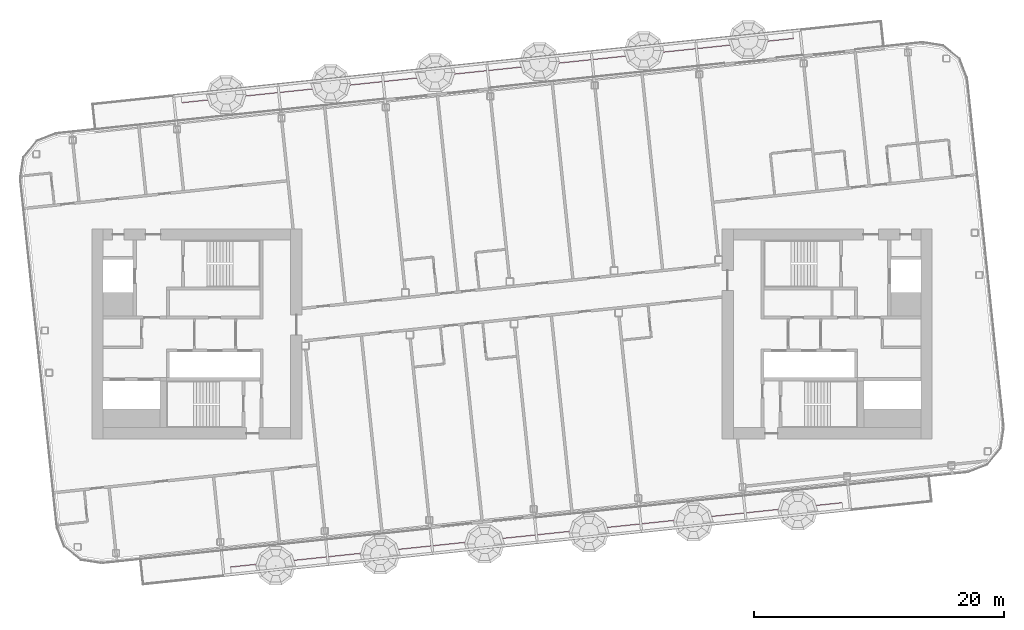
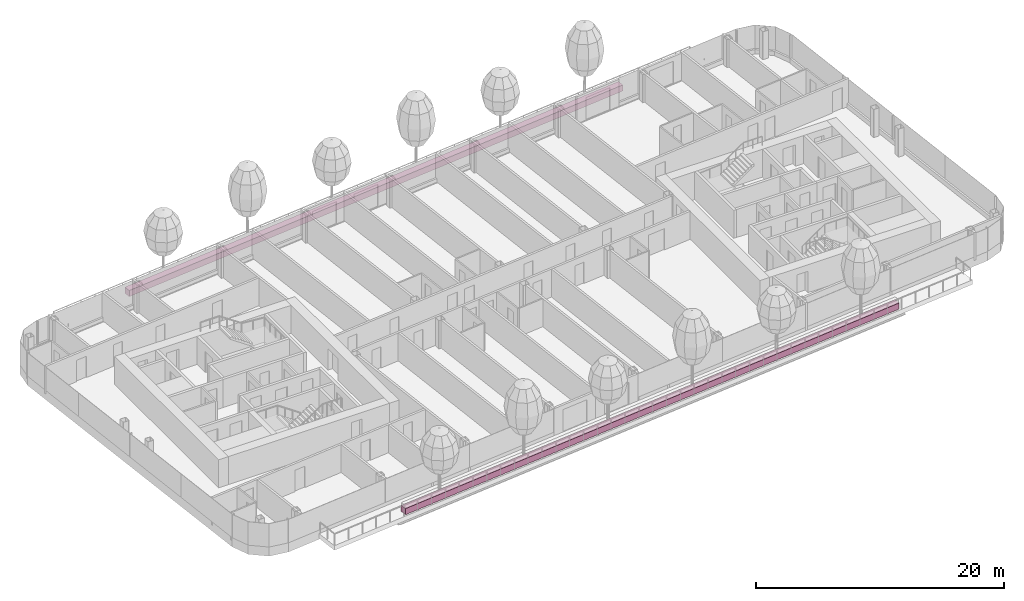
# One storey, part 26 of 29: 2 furniture elements.
"""IFC4 building model written with IfcOpenShell, lengths in metres."""

import ifcopenshell
import ifcopenshell.guid

model = None  # the IFC model being written
_history = None  # IfcOwnerHistory: only IFC2X3 demands one
_inside = {}  # id of a spatial element -> (the spatial element, [elements in it])
_under = {}  # id of a project, library or spatial element -> (it, [spatial elements below it])
_declared = {}  # id of a project -> (the project, [libraries it declares])
_typed = {}  # id of a type object -> (the type object, [elements of that type])
_made_of = {}  # id of a material, layer set ... -> (it, [elements and type objects made of it])


def new_model(schema):
    """Start an empty IFC model of exactly this schema.

    Asked for "IFC4X3", IfcOpenShell would pick the latest addendum, in which some entities
    have other attributes; the version numbers below select the first issue.
    IFC2X3 requires an IfcOwnerHistory on every rooted entity: one is made here for all.
    """
    global model, _history
    if schema == "IFC4X3":
        model = ifcopenshell.file(schema_version=(4, 3, 0, 0))
    else:
        model = ifcopenshell.file(schema=schema)
    _inside.clear()
    _under.clear()
    _declared.clear()
    _typed.clear()
    _made_of.clear()
    _history = None
    if model.schema == "IFC2X3":
        org = make("IfcOrganization", Name="unknown")
        user = make(
            "IfcPersonAndOrganization",
            ThePerson=make("IfcPerson", FamilyName="unknown"),
            TheOrganization=org,
        )
        app = make(
            "IfcApplication",
            ApplicationDeveloper=org,
            Version="unknown",
            ApplicationFullName="unknown",
            ApplicationIdentifier="unknown",
        )
        _history = make(
            "IfcOwnerHistory",
            OwningUser=user,
            OwningApplication=app,
            ChangeAction="ADDED",
            CreationDate=0,
        )
    return model


def make(cls, **values):
    """One entity of the class cls with the attributes given. An attribute that is None is left unset."""
    return model.create_entity(
        cls, **{name: value for name, value in values.items() if value is not None}
    )


def rooted(cls, **values):
    """An entity with a GlobalId (a new one), such as an element, a storey or a relation."""
    return make(cls, GlobalId=ifcopenshell.guid.new(), OwnerHistory=_history, **values)


def si_unit(unit_type, name, prefix=None):
    """IfcSIUnit, for example si_unit("LENGTHUNIT", "METRE", prefix="MILLI")."""
    return make("IfcSIUnit", UnitType=unit_type, Prefix=prefix, Name=name)


def assignment(units):
    """IfcUnitAssignment: the units of a project."""
    return None if units is None else make("IfcUnitAssignment", Units=units)


def point(xyz):
    """IfcCartesianPoint."""
    return None if xyz is None else make("IfcCartesianPoint", Coordinates=xyz)


def direction(xyz):
    """IfcDirection."""
    return None if xyz is None else make("IfcDirection", DirectionRatios=xyz)


def frame(location, z_axis=None, x_axis=None):
    """IfcAxis2Placement3D, a coordinate frame: its origin and axes. An axis left out is left unset."""
    return make(
        "IfcAxis2Placement3D",
        Location=point(location),
        Axis=direction(z_axis),
        RefDirection=direction(x_axis),
    )


def frame_2d(location, x_axis=None):
    """IfcAxis2Placement2D, a coordinate frame in the plane: its origin and x axis."""
    return make(
        "IfcAxis2Placement2D", Location=point(location), RefDirection=direction(x_axis)
    )


def origin():
    """The frame at (0, 0, 0) with its axes left unset."""
    return frame((0.0, 0.0, 0.0))


def origin_2d():
    """The frame at (0, 0) in the plane with its x axis left unset."""
    return frame_2d((0.0, 0.0))


def place(relative_to, where):
    """IfcLocalPlacement: puts the frame where relative to a parent placement (None: the world)."""
    return make(
        "IfcLocalPlacement", PlacementRelTo=relative_to, RelativePlacement=where
    )


def context(
    kind, dimensions, precision=None, world=None, true_north=None, identifier=None
):
    """IfcGeometricRepresentationContext, for example the 3D "Model" context."""
    return make(
        "IfcGeometricRepresentationContext",
        ContextIdentifier=identifier,
        ContextType=kind,
        CoordinateSpaceDimension=dimensions,
        Precision=precision,
        WorldCoordinateSystem=world,
        TrueNorth=true_north,
    )


def subcontext(parent, identifier, kind, view, scale=None):
    """IfcGeometricRepresentationSubContext, for example "Body" below "Model"."""
    return make(
        "IfcGeometricRepresentationSubContext",
        ContextIdentifier=identifier,
        ContextType=kind,
        ParentContext=parent,
        TargetScale=scale,
        TargetView=view,
    )


def project(units=None, contexts=None):
    """IfcProject with its units and contexts."""
    return rooted(
        "IfcProject",
        Name="project",
        RepresentationContexts=contexts,
        UnitsInContext=assignment(units),
    )


def spatial(cls, under=None, at=None, **own):
    """A site, building, storey or space (cls), placed at a placement, below another one or the project."""
    s = rooted(cls, ObjectPlacement=at, **own)
    if under is not None:
        _under.setdefault(under.id(), (under, []))[1].append(s)
    return s


def profile(cls, at=None, kind="AREA", **sizes):
    """A parametric profile (cls). Its sizes go by their IFC names, for example OverallWidth=200.0."""
    return make(cls, ProfileType=kind, Position=at, **sizes)


def rectangle(**sizes):
    """IfcRectangleProfileDef."""
    return profile("IfcRectangleProfileDef", **sizes)


def extrude(swept, where, along, depth):
    """IfcExtrudedAreaSolid: the profile swept, set in the frame where, extruded along a direction by depth."""
    return make(
        "IfcExtrudedAreaSolid",
        SweptArea=swept,
        Position=where,
        ExtrudedDirection=direction(along),
        Depth=depth,
    )


def shape(context_of_items, identifier, shape_type, items):
    """IfcShapeRepresentation: the items that make up one representation, for example the "Body"."""
    return make(
        "IfcShapeRepresentation",
        ContextOfItems=context_of_items,
        RepresentationIdentifier=identifier,
        RepresentationType=shape_type,
        Items=items,
    )


def material(Name=None, Category=None):
    """IfcMaterial."""
    return make("IfcMaterial", Name=Name, Category=Category)


def made_of(thing, what):
    """Note that an element or type object is made of a material, layer set ...; save() writes the relation."""
    if what is not None:
        _made_of.setdefault(what.id(), (what, []))[1].append(thing)
    return thing


def type_object(cls, material=None, **own):
    """A type object (cls), such as IfcWallType, which elements share."""
    return made_of(rooted(cls, **own), material)


def element(
    cls,
    number,
    at=None,
    inside=None,
    cuts=None,
    type_object=None,
    material=None,
    context=None,
    identifier="Body",
    shape_type=None,
    held_by="IfcProductDefinitionShape",
    body=None,
    shapes=None,
    **own,
):
    """One element of the class cls, such as IfcWall. Its Tag is "e" and its number.

    at: its placement. inside: the storey or other place that contains it. cuts: it is an
    opening in that element (IfcRelVoidsElement). A single representation is given by context,
    identifier, shape_type and body (its items); several are given by shapes. held_by: the class
    of the entity that holds the representations. save() writes the other relations.
    """
    e = rooted(cls, Tag="e%d" % number, ObjectPlacement=at, **own)
    if body is not None:
        shapes = [shape(context, identifier, shape_type, body)]
    if shapes is not None:
        e.Representation = make(held_by, Representations=shapes)
    if inside is not None:
        _inside.setdefault(inside.id(), (inside, []))[1].append(e)
    if cuts is not None:
        rooted(
            "IfcRelVoidsElement", RelatingBuildingElement=cuts, RelatedOpeningElement=e
        )
    if type_object is not None:
        _typed.setdefault(type_object.id(), (type_object, []))[1].append(e)
    return made_of(e, material)


def aggregate(whole, parts):
    """IfcRelAggregates: a whole, such as a stair, and the parts it consists of."""
    return rooted("IfcRelAggregates", RelatingObject=whole, RelatedObjects=parts)


def save(model, path):
    """Write the relations noted so far, then the file.

    IfcRelAggregates (storeys below a building ...), IfcRelContainedInSpatialStructure (elements
    in a storey), IfcRelDefinesByType, IfcRelAssociatesMaterial and IfcRelDeclares: one each for
    every whole, place, type object, material and project.
    """
    for whole, parts in _under.values():
        aggregate(whole, parts)
    for where, things in _inside.values():
        rooted(
            "IfcRelContainedInSpatialStructure",
            RelatedElements=things,
            RelatingStructure=where,
        )
    for kind, things in _typed.values():
        rooted("IfcRelDefinesByType", RelatedObjects=things, RelatingType=kind)
    for what, things in _made_of.values():
        rooted("IfcRelAssociatesMaterial", RelatedObjects=things, RelatingMaterial=what)
    for by, libraries in _declared.values():
        rooted("IfcRelDeclares", RelatingContext=by, RelatedDefinitions=libraries)
    model.write(path)


model = new_model("IFC4")

# Units and contexts
model_context = context("Model", 3, precision=1e-05, world=origin(), true_north=direction((0.0, 1.0)))
body_context = subcontext(model_context, "Body", "Model", "MODEL_VIEW")
ifc_project = project(units=[si_unit("LENGTHUNIT", "METRE"), si_unit("AREAUNIT", "SQUARE_METRE"), si_unit("VOLUMEUNIT", "CUBIC_METRE"), si_unit("PLANEANGLEUNIT", "RADIAN"), si_unit("MASSUNIT", "GRAM", prefix="KILO")], contexts=[model_context])

# Site, building, storey
site_placement = place(None, origin())
site = spatial("IfcSite", under=ifc_project, at=site_placement, CompositionType="ELEMENT")
building_placement = place(site_placement, origin())
building = spatial("IfcBuilding", under=site, at=building_placement, Name="Hakoniwa Tower and Hamabe Station Hall", CompositionType="ELEMENT")
storey_placement = place(building_placement, frame((0.0, 0.0, 258.199951171875)))
storey = spatial("IfcBuildingStorey", under=building, at=storey_placement, Name="L73", CompositionType="ELEMENT", Elevation=258.199951171875)

# Furniture
ifc_material = material(Name="Aluminium 6063-T5 black anodised trough with lightweight soil", Category="aluminium")
furniture_type = type_object("IfcFurnitureType", Name="Planter 600x600", AssemblyPlace="SITE", PredefinedType="USERDEFINED", material=ifc_material)
for number, where, z_axis, x_axis, name in (
    (1, (-1.980712890625, 21.34619140625, 0.0), (0.0, 0.0, 1.0), (0.994521895368, 0.104528463268, 0.0), "Planter 600x600"),
    (2, (1.980712890625, -16.34619140625, 0.0), (0.0, 0.0, 1.0), (0.994521895368, 0.104528463268, 0.0), "Planter 600x600"),
):
    element("IfcFurniture", number, at=place(storey_placement, frame(where, z_axis=z_axis, x_axis=x_axis)), inside=storey, type_object=furniture_type, Name=name, ObjectType="PLANTER", PredefinedType="USERDEFINED", context=body_context, shape_type="SweptSolid", body=[
        extrude(rectangle(XDim=49.199951171875, YDim=0.60009765625, at=origin_2d()), origin(), (0.0, 0.0, 1.0), 0.60009765625),
    ])

save(model, "model.ifc")
